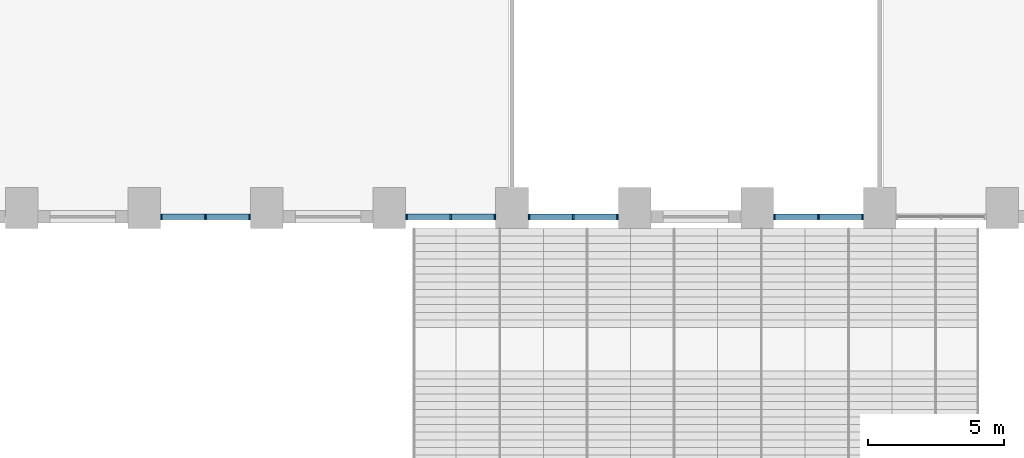
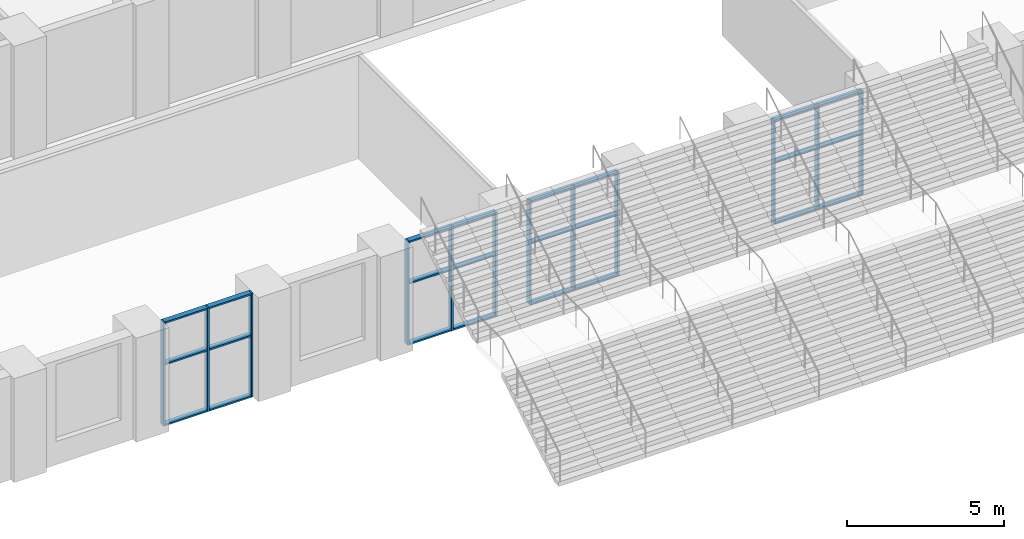
# One storey, part 2 of 42: 36 members, 4 elements without a shape of their own.
"""IFC4 building model written with IfcOpenShell, lengths in metres."""

import ifcopenshell
import ifcopenshell.guid

model = None  # the IFC model being written
_history = None  # IfcOwnerHistory: only IFC2X3 demands one
_inside = {}  # id of a spatial element -> (the spatial element, [elements in it])
_under = {}  # id of a project, library or spatial element -> (it, [spatial elements below it])
_declared = {}  # id of a project -> (the project, [libraries it declares])
_typed = {}  # id of a type object -> (the type object, [elements of that type])
_made_of = {}  # id of a material, layer set ... -> (it, [elements and type objects made of it])


def new_model(schema):
    """Start an empty IFC model of exactly this schema.

    Asked for "IFC4X3", IfcOpenShell would pick the latest addendum, in which some entities
    have other attributes; the version numbers below select the first issue.
    IFC2X3 requires an IfcOwnerHistory on every rooted entity: one is made here for all.
    """
    global model, _history
    if schema == "IFC4X3":
        model = ifcopenshell.file(schema_version=(4, 3, 0, 0))
    else:
        model = ifcopenshell.file(schema=schema)
    _inside.clear()
    _under.clear()
    _declared.clear()
    _typed.clear()
    _made_of.clear()
    _history = None
    if model.schema == "IFC2X3":
        org = make("IfcOrganization", Name="unknown")
        user = make(
            "IfcPersonAndOrganization",
            ThePerson=make("IfcPerson", FamilyName="unknown"),
            TheOrganization=org,
        )
        app = make(
            "IfcApplication",
            ApplicationDeveloper=org,
            Version="unknown",
            ApplicationFullName="unknown",
            ApplicationIdentifier="unknown",
        )
        _history = make(
            "IfcOwnerHistory",
            OwningUser=user,
            OwningApplication=app,
            ChangeAction="ADDED",
            CreationDate=0,
        )
    return model


def make(cls, **values):
    """One entity of the class cls with the attributes given. An attribute that is None is left unset."""
    return model.create_entity(
        cls, **{name: value for name, value in values.items() if value is not None}
    )


def rooted(cls, **values):
    """An entity with a GlobalId (a new one), such as an element, a storey or a relation."""
    return make(cls, GlobalId=ifcopenshell.guid.new(), OwnerHistory=_history, **values)


def si_unit(unit_type, name, prefix=None):
    """IfcSIUnit, for example si_unit("LENGTHUNIT", "METRE", prefix="MILLI")."""
    return make("IfcSIUnit", UnitType=unit_type, Prefix=prefix, Name=name)


def assignment(units):
    """IfcUnitAssignment: the units of a project."""
    return None if units is None else make("IfcUnitAssignment", Units=units)


def point(xyz):
    """IfcCartesianPoint."""
    return None if xyz is None else make("IfcCartesianPoint", Coordinates=xyz)


def direction(xyz):
    """IfcDirection."""
    return None if xyz is None else make("IfcDirection", DirectionRatios=xyz)


def frame(location, z_axis=None, x_axis=None):
    """IfcAxis2Placement3D, a coordinate frame: its origin and axes. An axis left out is left unset."""
    return make(
        "IfcAxis2Placement3D",
        Location=point(location),
        Axis=direction(z_axis),
        RefDirection=direction(x_axis),
    )


def frame_2d(location, x_axis=None):
    """IfcAxis2Placement2D, a coordinate frame in the plane: its origin and x axis."""
    return make(
        "IfcAxis2Placement2D", Location=point(location), RefDirection=direction(x_axis)
    )


def origin():
    """The frame at (0, 0, 0) with its axes left unset."""
    return frame((0.0, 0.0, 0.0))


def origin_2d():
    """The frame at (0, 0) in the plane with its x axis left unset."""
    return frame_2d((0.0, 0.0))


def place(relative_to, where):
    """IfcLocalPlacement: puts the frame where relative to a parent placement (None: the world)."""
    return make(
        "IfcLocalPlacement", PlacementRelTo=relative_to, RelativePlacement=where
    )


def context(
    kind, dimensions, precision=None, world=None, true_north=None, identifier=None
):
    """IfcGeometricRepresentationContext, for example the 3D "Model" context."""
    return make(
        "IfcGeometricRepresentationContext",
        ContextIdentifier=identifier,
        ContextType=kind,
        CoordinateSpaceDimension=dimensions,
        Precision=precision,
        WorldCoordinateSystem=world,
        TrueNorth=true_north,
    )


def subcontext(parent, identifier, kind, view, scale=None):
    """IfcGeometricRepresentationSubContext, for example "Body" below "Model"."""
    return make(
        "IfcGeometricRepresentationSubContext",
        ContextIdentifier=identifier,
        ContextType=kind,
        ParentContext=parent,
        TargetScale=scale,
        TargetView=view,
    )


def project(units=None, contexts=None):
    """IfcProject with its units and contexts."""
    return rooted(
        "IfcProject",
        Name="project",
        RepresentationContexts=contexts,
        UnitsInContext=assignment(units),
    )


def spatial(cls, under=None, at=None, **own):
    """A site, building, storey or space (cls), placed at a placement, below another one or the project."""
    s = rooted(cls, ObjectPlacement=at, **own)
    if under is not None:
        _under.setdefault(under.id(), (under, []))[1].append(s)
    return s


def profile(cls, at=None, kind="AREA", **sizes):
    """A parametric profile (cls). Its sizes go by their IFC names, for example OverallWidth=200.0."""
    return make(cls, ProfileType=kind, Position=at, **sizes)


def rectangle(**sizes):
    """IfcRectangleProfileDef."""
    return profile("IfcRectangleProfileDef", **sizes)


def extrude(swept, where, along, depth):
    """IfcExtrudedAreaSolid: the profile swept, set in the frame where, extruded along a direction by depth."""
    return make(
        "IfcExtrudedAreaSolid",
        SweptArea=swept,
        Position=where,
        ExtrudedDirection=direction(along),
        Depth=depth,
    )


def shape(context_of_items, identifier, shape_type, items):
    """IfcShapeRepresentation: the items that make up one representation, for example the "Body"."""
    return make(
        "IfcShapeRepresentation",
        ContextOfItems=context_of_items,
        RepresentationIdentifier=identifier,
        RepresentationType=shape_type,
        Items=items,
    )


def material(Name=None, Category=None):
    """IfcMaterial."""
    return make("IfcMaterial", Name=Name, Category=Category)


def layer(
    of_material, thickness, ventilated=None, Name=None, Category=None, Priority=None
):
    """IfcMaterialLayer: one layer of a wall or slab, of a material (None: an air gap)."""
    return make(
        "IfcMaterialLayer",
        Material=of_material,
        LayerThickness=thickness,
        IsVentilated=ventilated,
        Name=Name,
        Category=Category,
        Priority=Priority,
    )


def layer_set(layers, Name=None):
    """IfcMaterialLayerSet."""
    return make("IfcMaterialLayerSet", MaterialLayers=layers, LayerSetName=Name)


def material_profile(
    of_material, cross_section, Name=None, Category=None, Priority=None
):
    """IfcMaterialProfile: a cross section and its material."""
    return make(
        "IfcMaterialProfile",
        Name=Name,
        Material=of_material,
        Profile=cross_section,
        Priority=Priority,
        Category=Category,
    )


def profile_set(profiles, Name=None, composite=None):
    """IfcMaterialProfileSet."""
    return make(
        "IfcMaterialProfileSet",
        Name=Name,
        MaterialProfiles=profiles,
        CompositeProfile=composite,
    )


def made_of(thing, what):
    """Note that an element or type object is made of a material, layer set ...; save() writes the relation."""
    if what is not None:
        _made_of.setdefault(what.id(), (what, []))[1].append(thing)
    return thing


def type_object(cls, material=None, **own):
    """A type object (cls), such as IfcWallType, which elements share."""
    return made_of(rooted(cls, **own), material)


def element(
    cls,
    number,
    at=None,
    inside=None,
    cuts=None,
    type_object=None,
    material=None,
    context=None,
    identifier="Body",
    shape_type=None,
    held_by="IfcProductDefinitionShape",
    body=None,
    shapes=None,
    **own,
):
    """One element of the class cls, such as IfcWall. Its Tag is "e" and its number.

    at: its placement. inside: the storey or other place that contains it. cuts: it is an
    opening in that element (IfcRelVoidsElement). A single representation is given by context,
    identifier, shape_type and body (its items); several are given by shapes. held_by: the class
    of the entity that holds the representations. save() writes the other relations.
    """
    e = rooted(cls, Tag="e%d" % number, ObjectPlacement=at, **own)
    if body is not None:
        shapes = [shape(context, identifier, shape_type, body)]
    if shapes is not None:
        e.Representation = make(held_by, Representations=shapes)
    if inside is not None:
        _inside.setdefault(inside.id(), (inside, []))[1].append(e)
    if cuts is not None:
        rooted(
            "IfcRelVoidsElement", RelatingBuildingElement=cuts, RelatedOpeningElement=e
        )
    if type_object is not None:
        _typed.setdefault(type_object.id(), (type_object, []))[1].append(e)
    return made_of(e, material)


def aggregate(whole, parts):
    """IfcRelAggregates: a whole, such as a stair, and the parts it consists of."""
    return rooted("IfcRelAggregates", RelatingObject=whole, RelatedObjects=parts)


def save(model, path):
    """Write the relations noted so far, then the file.

    IfcRelAggregates (storeys below a building ...), IfcRelContainedInSpatialStructure (elements
    in a storey), IfcRelDefinesByType, IfcRelAssociatesMaterial and IfcRelDeclares: one each for
    every whole, place, type object, material and project.
    """
    for whole, parts in _under.values():
        aggregate(whole, parts)
    for where, things in _inside.values():
        rooted(
            "IfcRelContainedInSpatialStructure",
            RelatedElements=things,
            RelatingStructure=where,
        )
    for kind, things in _typed.values():
        rooted("IfcRelDefinesByType", RelatedObjects=things, RelatingType=kind)
    for what, things in _made_of.values():
        rooted("IfcRelAssociatesMaterial", RelatedObjects=things, RelatingMaterial=what)
    for by, libraries in _declared.values():
        rooted("IfcRelDeclares", RelatingContext=by, RelatedDefinitions=libraries)
    model.write(path)


model = new_model("IFC4")

# Units and contexts
model_context = context("Model", 3, precision=1e-05, world=origin(), true_north=direction((0.0, 1.0)))
body_context = subcontext(model_context, "Body", "Model", "MODEL_VIEW")
ifc_project = project(units=[si_unit("LENGTHUNIT", "METRE"), si_unit("AREAUNIT", "SQUARE_METRE"), si_unit("VOLUMEUNIT", "CUBIC_METRE"), si_unit("PLANEANGLEUNIT", "RADIAN"), si_unit("MASSUNIT", "GRAM", prefix="KILO")], contexts=[model_context])

# Site, building, storey
site_placement = place(None, origin())
site = spatial("IfcSite", under=ifc_project, at=site_placement, CompositionType="ELEMENT")
building_placement = place(site_placement, origin())
building = spatial("IfcBuilding", under=site, at=building_placement, Name="Dhurran Vertical Campus", CompositionType="ELEMENT")
storey_placement = place(building_placement, frame((0.0, 0.0, 6.0)))
storey = spatial("IfcBuildingStorey", under=building, at=storey_placement, Name="L01", CompositionType="ELEMENT", Elevation=6.0)

# Curtain wall, members
ifc_material_1 = material(Name="Aluminium frame with solar-control glass", Category="aluminium")
ifc_layer = layer(ifc_material_1, 0.199951171875)
ifc_layer_set = layer_set([ifc_layer], Name="Aluminium frame with solar-control glass")
curtain_wall_type = type_object("IfcCurtainWallType", Name="Entrance glazing system", PredefinedType="NOTDEFINED", material=ifc_layer_set)
curtain_wall_1_placement = place(storey_placement, origin())
curtain_wall_1 = element("IfcCurtainWall", 1, at=curtain_wall_1_placement, inside=storey, type_object=curtain_wall_type, Name="CW1 L01.02", PredefinedType="NOTDEFINED")
ifc_material_2 = material(Name="Aluminium mullion", Category="aluminium")
ifc_material_profile_1 = material_profile(ifc_material_2, rectangle(XDim=0.199951171875, YDim=0.06005859375, at=origin_2d()), Name="Entrance glazing system mullion")
ifc_profile_set_1 = profile_set([ifc_material_profile_1], Name="Aluminium mullion")
member_type_1 = type_object("IfcMemberType", Name="Entrance glazing system mullion", PredefinedType="MULLION", material=ifc_profile_set_1)
member_1_placement = place(storey_placement, frame((-19.619384765625, -46.943359375, 0.0), z_axis=(0.0, 0.0, 1.0), x_axis=(0.0, 1.0, 0.0)))
member_1 = element("IfcMember", 2, at=member_1_placement, type_object=member_type_1, Name="CW1 mullion 1", PredefinedType="MULLION", context=body_context, shape_type="SweptSolid", body=[
    extrude(rectangle(XDim=0.199951171875, YDim=0.06005859375, at=origin_2d()), origin(), (0.0, 0.0, 1.0), 4.050048828125),
])
member_2_placement = place(storey_placement, frame((-18.0, -46.943359375, 0.0), z_axis=(0.0, 0.0, 1.0), x_axis=(0.0, 1.0, 0.0)))
member_2 = element("IfcMember", 3, at=member_2_placement, type_object=member_type_1, Name="CW1 mullion 2", PredefinedType="MULLION", context=body_context, shape_type="SweptSolid", body=[
    extrude(rectangle(XDim=0.199951171875, YDim=0.06005859375, at=origin_2d()), origin(), (0.0, 0.0, 1.0), 4.050048828125),
])
member_3_placement = place(storey_placement, frame((-16.380615234375, -46.943359375, 0.0), z_axis=(0.0, 0.0, 1.0), x_axis=(0.0, 1.0, 0.0)))
member_3 = element("IfcMember", 4, at=member_3_placement, type_object=member_type_1, Name="CW1 mullion 3", PredefinedType="MULLION", context=body_context, shape_type="SweptSolid", body=[
    extrude(rectangle(XDim=0.199951171875, YDim=0.06005859375, at=origin_2d()), origin(), (0.0, 0.0, 1.0), 4.050048828125),
])

curtain_wall_2_placement = place(storey_placement, origin())
curtain_wall_2 = element("IfcCurtainWall", 5, at=curtain_wall_2_placement, inside=storey, type_object=curtain_wall_type, Name="CW1 L01.04", PredefinedType="NOTDEFINED")
member_4_placement = place(storey_placement, frame((-10.619384765625, -46.943359375, 0.0), z_axis=(0.0, 0.0, 1.0), x_axis=(0.0, 1.0, 0.0)))
member_4 = element("IfcMember", 6, at=member_4_placement, type_object=member_type_1, Name="CW1 mullion 1", PredefinedType="MULLION", context=body_context, shape_type="SweptSolid", body=[
    extrude(rectangle(XDim=0.199951171875, YDim=0.06005859375, at=origin_2d()), origin(), (0.0, 0.0, 1.0), 4.050048828125),
])
member_5_placement = place(storey_placement, frame((-9.0, -46.943359375, 0.0), z_axis=(0.0, 0.0, 1.0), x_axis=(0.0, 1.0, 0.0)))
member_5 = element("IfcMember", 7, at=member_5_placement, type_object=member_type_1, Name="CW1 mullion 2", PredefinedType="MULLION", context=body_context, shape_type="SweptSolid", body=[
    extrude(rectangle(XDim=0.199951171875, YDim=0.06005859375, at=origin_2d()), origin(), (0.0, 0.0, 1.0), 4.050048828125),
])
member_6_placement = place(storey_placement, frame((-7.380615234375, -46.943359375, 0.0), z_axis=(0.0, 0.0, 1.0), x_axis=(0.0, 1.0, 0.0)))
member_6 = element("IfcMember", 8, at=member_6_placement, type_object=member_type_1, Name="CW1 mullion 3", PredefinedType="MULLION", context=body_context, shape_type="SweptSolid", body=[
    extrude(rectangle(XDim=0.199951171875, YDim=0.06005859375, at=origin_2d()), origin(), (0.0, 0.0, 1.0), 4.050048828125),
])

curtain_wall_3_placement = place(storey_placement, origin())
curtain_wall_3 = element("IfcCurtainWall", 9, at=curtain_wall_3_placement, inside=storey, type_object=curtain_wall_type, Name="CW1 L01.05", PredefinedType="NOTDEFINED")
member_7_placement = place(storey_placement, frame((-6.119384765625, -46.943359375, 0.0), z_axis=(0.0, 0.0, 1.0), x_axis=(0.0, 1.0, 0.0)))
member_7 = element("IfcMember", 10, at=member_7_placement, type_object=member_type_1, Name="CW1 mullion 1", PredefinedType="MULLION", context=body_context, shape_type="SweptSolid", body=[
    extrude(rectangle(XDim=0.199951171875, YDim=0.06005859375, at=origin_2d()), origin(), (0.0, 0.0, 1.0), 4.050048828125),
])
member_8_placement = place(storey_placement, frame((-4.5, -46.943359375, 0.0), z_axis=(0.0, 0.0, 1.0), x_axis=(0.0, 1.0, 0.0)))
member_8 = element("IfcMember", 11, at=member_8_placement, type_object=member_type_1, Name="CW1 mullion 2", PredefinedType="MULLION", context=body_context, shape_type="SweptSolid", body=[
    extrude(rectangle(XDim=0.199951171875, YDim=0.06005859375, at=origin_2d()), origin(), (0.0, 0.0, 1.0), 4.050048828125),
])
member_9_placement = place(storey_placement, frame((-2.880615234375, -46.943359375, 0.0), z_axis=(0.0, 0.0, 1.0), x_axis=(0.0, 1.0, 0.0)))
member_9 = element("IfcMember", 12, at=member_9_placement, type_object=member_type_1, Name="CW1 mullion 3", PredefinedType="MULLION", context=body_context, shape_type="SweptSolid", body=[
    extrude(rectangle(XDim=0.199951171875, YDim=0.06005859375, at=origin_2d()), origin(), (0.0, 0.0, 1.0), 4.050048828125),
])

curtain_wall_4_placement = place(storey_placement, origin())
curtain_wall_4 = element("IfcCurtainWall", 13, at=curtain_wall_4_placement, inside=storey, type_object=curtain_wall_type, Name="CW1 L01.07", PredefinedType="NOTDEFINED")
member_10_placement = place(storey_placement, frame((2.880615234375, -46.943359375, 0.0), z_axis=(0.0, 0.0, 1.0), x_axis=(0.0, 1.0, 0.0)))
member_10 = element("IfcMember", 14, at=member_10_placement, type_object=member_type_1, Name="CW1 mullion 1", PredefinedType="MULLION", context=body_context, shape_type="SweptSolid", body=[
    extrude(rectangle(XDim=0.199951171875, YDim=0.06005859375, at=origin_2d()), origin(), (0.0, 0.0, 1.0), 4.050048828125),
])
member_11_placement = place(storey_placement, frame((4.5, -46.943359375, 0.0), z_axis=(0.0, 0.0, 1.0), x_axis=(0.0, 1.0, 0.0)))
member_11 = element("IfcMember", 15, at=member_11_placement, type_object=member_type_1, Name="CW1 mullion 2", PredefinedType="MULLION", context=body_context, shape_type="SweptSolid", body=[
    extrude(rectangle(XDim=0.199951171875, YDim=0.06005859375, at=origin_2d()), origin(), (0.0, 0.0, 1.0), 4.050048828125),
])
member_12_placement = place(storey_placement, frame((6.119384765625, -46.943359375, 0.0), z_axis=(0.0, 0.0, 1.0), x_axis=(0.0, 1.0, 0.0)))
member_12 = element("IfcMember", 16, at=member_12_placement, type_object=member_type_1, Name="CW1 mullion 3", PredefinedType="MULLION", context=body_context, shape_type="SweptSolid", body=[
    extrude(rectangle(XDim=0.199951171875, YDim=0.06005859375, at=origin_2d()), origin(), (0.0, 0.0, 1.0), 4.050048828125),
])

# Member
ifc_material_3 = material(Name="Aluminium transom", Category="aluminium")
ifc_material_profile_2 = material_profile(ifc_material_3, rectangle(XDim=0.199951171875, YDim=0.06005859375, at=origin_2d()), Name="Entrance glazing system transom")
ifc_profile_set_2 = profile_set([ifc_material_profile_2], Name="Aluminium transom")
member_type_2 = type_object("IfcMemberType", Name="Entrance glazing system transom", PredefinedType="USERDEFINED", material=ifc_profile_set_2)
member_13_placement = place(storey_placement, frame((-19.589599609375, -46.943359375, 0.030029296875), z_axis=(1.0, 0.0, 0.0), x_axis=(0.0, 1.0, 0.0)))
member_13 = element("IfcMember", 17, at=member_13_placement, type_object=member_type_2, Name="CW1 transom 1.1", ObjectType="TRANSOM", PredefinedType="USERDEFINED", context=body_context, shape_type="SweptSolid", body=[
    extrude(rectangle(XDim=0.199951171875, YDim=0.06005859375, at=origin_2d()), origin(), (0.0, 0.0, 1.0), 1.5595703125),
])

member_14_placement = place(storey_placement, frame((-19.589599609375, -46.943359375, 2.39990234375), z_axis=(1.0, 0.0, 0.0), x_axis=(0.0, 1.0, 0.0)))
member_14 = element("IfcMember", 18, at=member_14_placement, type_object=member_type_2, Name="CW1 transom 1.2", ObjectType="TRANSOM", PredefinedType="USERDEFINED", context=body_context, shape_type="SweptSolid", body=[
    extrude(rectangle(XDim=0.199951171875, YDim=0.06005859375, at=origin_2d()), origin(), (0.0, 0.0, 1.0), 1.5595703125),
])

member_15_placement = place(storey_placement, frame((-19.589599609375, -46.943359375, 4.02001953125), z_axis=(1.0, 0.0, 0.0), x_axis=(0.0, 1.0, 0.0)))
member_15 = element("IfcMember", 19, at=member_15_placement, type_object=member_type_2, Name="CW1 transom 1.3", ObjectType="TRANSOM", PredefinedType="USERDEFINED", context=body_context, shape_type="SweptSolid", body=[
    extrude(rectangle(XDim=0.199951171875, YDim=0.06005859375, at=origin_2d()), origin(), (0.0, 0.0, 1.0), 1.5595703125),
])

member_16_placement = place(storey_placement, frame((-17.969970703125, -46.943359375, 0.030029296875), z_axis=(1.0, 0.0, 0.0), x_axis=(0.0, 1.0, 0.0)))
member_16 = element("IfcMember", 20, at=member_16_placement, type_object=member_type_2, Name="CW1 transom 2.1", ObjectType="TRANSOM", PredefinedType="USERDEFINED", context=body_context, shape_type="SweptSolid", body=[
    extrude(rectangle(XDim=0.199951171875, YDim=0.06005859375, at=origin_2d()), origin(), (0.0, 0.0, 1.0), 1.5595703125),
])

member_17_placement = place(storey_placement, frame((-17.969970703125, -46.943359375, 2.39990234375), z_axis=(1.0, 0.0, 0.0), x_axis=(0.0, 1.0, 0.0)))
member_17 = element("IfcMember", 21, at=member_17_placement, type_object=member_type_2, Name="CW1 transom 2.2", ObjectType="TRANSOM", PredefinedType="USERDEFINED", context=body_context, shape_type="SweptSolid", body=[
    extrude(rectangle(XDim=0.199951171875, YDim=0.06005859375, at=origin_2d()), origin(), (0.0, 0.0, 1.0), 1.5595703125),
])

member_18_placement = place(storey_placement, frame((-17.969970703125, -46.943359375, 4.02001953125), z_axis=(1.0, 0.0, 0.0), x_axis=(0.0, 1.0, 0.0)))
member_18 = element("IfcMember", 22, at=member_18_placement, type_object=member_type_2, Name="CW1 transom 2.3", ObjectType="TRANSOM", PredefinedType="USERDEFINED", context=body_context, shape_type="SweptSolid", body=[
    extrude(rectangle(XDim=0.199951171875, YDim=0.06005859375, at=origin_2d()), origin(), (0.0, 0.0, 1.0), 1.5595703125),
])

aggregate(curtain_wall_1, [member_1, member_2, member_3, member_13, member_14, member_15, member_16, member_17, member_18])

member_19_placement = place(storey_placement, frame((-10.589599609375, -46.943359375, 0.030029296875), z_axis=(1.0, 0.0, 0.0), x_axis=(0.0, 1.0, 0.0)))
member_19 = element("IfcMember", 23, at=member_19_placement, type_object=member_type_2, Name="CW1 transom 1.1", ObjectType="TRANSOM", PredefinedType="USERDEFINED", context=body_context, shape_type="SweptSolid", body=[
    extrude(rectangle(XDim=0.199951171875, YDim=0.06005859375, at=origin_2d()), origin(), (0.0, 0.0, 1.0), 1.5595703125),
])

member_20_placement = place(storey_placement, frame((-10.589599609375, -46.943359375, 2.39990234375), z_axis=(1.0, 0.0, 0.0), x_axis=(0.0, 1.0, 0.0)))
member_20 = element("IfcMember", 24, at=member_20_placement, type_object=member_type_2, Name="CW1 transom 1.2", ObjectType="TRANSOM", PredefinedType="USERDEFINED", context=body_context, shape_type="SweptSolid", body=[
    extrude(rectangle(XDim=0.199951171875, YDim=0.06005859375, at=origin_2d()), origin(), (0.0, 0.0, 1.0), 1.5595703125),
])

member_21_placement = place(storey_placement, frame((-10.589599609375, -46.943359375, 4.02001953125), z_axis=(1.0, 0.0, 0.0), x_axis=(0.0, 1.0, 0.0)))
member_21 = element("IfcMember", 25, at=member_21_placement, type_object=member_type_2, Name="CW1 transom 1.3", ObjectType="TRANSOM", PredefinedType="USERDEFINED", context=body_context, shape_type="SweptSolid", body=[
    extrude(rectangle(XDim=0.199951171875, YDim=0.06005859375, at=origin_2d()), origin(), (0.0, 0.0, 1.0), 1.5595703125),
])

member_22_placement = place(storey_placement, frame((-8.969970703125, -46.943359375, 0.030029296875), z_axis=(1.0, 0.0, 0.0), x_axis=(0.0, 1.0, 0.0)))
member_22 = element("IfcMember", 26, at=member_22_placement, type_object=member_type_2, Name="CW1 transom 2.1", ObjectType="TRANSOM", PredefinedType="USERDEFINED", context=body_context, shape_type="SweptSolid", body=[
    extrude(rectangle(XDim=0.199951171875, YDim=0.06005859375, at=origin_2d()), origin(), (0.0, 0.0, 1.0), 1.5595703125),
])

member_23_placement = place(storey_placement, frame((-8.969970703125, -46.943359375, 2.39990234375), z_axis=(1.0, 0.0, 0.0), x_axis=(0.0, 1.0, 0.0)))
member_23 = element("IfcMember", 27, at=member_23_placement, type_object=member_type_2, Name="CW1 transom 2.2", ObjectType="TRANSOM", PredefinedType="USERDEFINED", context=body_context, shape_type="SweptSolid", body=[
    extrude(rectangle(XDim=0.199951171875, YDim=0.06005859375, at=origin_2d()), origin(), (0.0, 0.0, 1.0), 1.5595703125),
])

member_24_placement = place(storey_placement, frame((-8.969970703125, -46.943359375, 4.02001953125), z_axis=(1.0, 0.0, 0.0), x_axis=(0.0, 1.0, 0.0)))
member_24 = element("IfcMember", 28, at=member_24_placement, type_object=member_type_2, Name="CW1 transom 2.3", ObjectType="TRANSOM", PredefinedType="USERDEFINED", context=body_context, shape_type="SweptSolid", body=[
    extrude(rectangle(XDim=0.199951171875, YDim=0.06005859375, at=origin_2d()), origin(), (0.0, 0.0, 1.0), 1.5595703125),
])

aggregate(curtain_wall_2, [member_4, member_5, member_6, member_19, member_20, member_21, member_22, member_23, member_24])

member_25_placement = place(storey_placement, frame((-6.089599609375, -46.943359375, 0.030029296875), z_axis=(1.0, 0.0, 0.0), x_axis=(0.0, 1.0, 0.0)))
member_25 = element("IfcMember", 29, at=member_25_placement, type_object=member_type_2, Name="CW1 transom 1.1", ObjectType="TRANSOM", PredefinedType="USERDEFINED", context=body_context, shape_type="SweptSolid", body=[
    extrude(rectangle(XDim=0.199951171875, YDim=0.06005859375, at=origin_2d()), origin(), (0.0, 0.0, 1.0), 1.5595703125),
])

member_26_placement = place(storey_placement, frame((-6.089599609375, -46.943359375, 2.39990234375), z_axis=(1.0, 0.0, 0.0), x_axis=(0.0, 1.0, 0.0)))
member_26 = element("IfcMember", 30, at=member_26_placement, type_object=member_type_2, Name="CW1 transom 1.2", ObjectType="TRANSOM", PredefinedType="USERDEFINED", context=body_context, shape_type="SweptSolid", body=[
    extrude(rectangle(XDim=0.199951171875, YDim=0.06005859375, at=origin_2d()), origin(), (0.0, 0.0, 1.0), 1.5595703125),
])

member_27_placement = place(storey_placement, frame((-6.089599609375, -46.943359375, 4.02001953125), z_axis=(1.0, 0.0, 0.0), x_axis=(0.0, 1.0, 0.0)))
member_27 = element("IfcMember", 31, at=member_27_placement, type_object=member_type_2, Name="CW1 transom 1.3", ObjectType="TRANSOM", PredefinedType="USERDEFINED", context=body_context, shape_type="SweptSolid", body=[
    extrude(rectangle(XDim=0.199951171875, YDim=0.06005859375, at=origin_2d()), origin(), (0.0, 0.0, 1.0), 1.5595703125),
])

member_28_placement = place(storey_placement, frame((-4.469970703125, -46.943359375, 0.030029296875), z_axis=(1.0, 0.0, 0.0), x_axis=(0.0, 1.0, 0.0)))
member_28 = element("IfcMember", 32, at=member_28_placement, type_object=member_type_2, Name="CW1 transom 2.1", ObjectType="TRANSOM", PredefinedType="USERDEFINED", context=body_context, shape_type="SweptSolid", body=[
    extrude(rectangle(XDim=0.199951171875, YDim=0.06005859375, at=origin_2d()), origin(), (0.0, 0.0, 1.0), 1.5595703125),
])

member_29_placement = place(storey_placement, frame((-4.469970703125, -46.943359375, 2.39990234375), z_axis=(1.0, 0.0, 0.0), x_axis=(0.0, 1.0, 0.0)))
member_29 = element("IfcMember", 33, at=member_29_placement, type_object=member_type_2, Name="CW1 transom 2.2", ObjectType="TRANSOM", PredefinedType="USERDEFINED", context=body_context, shape_type="SweptSolid", body=[
    extrude(rectangle(XDim=0.199951171875, YDim=0.06005859375, at=origin_2d()), origin(), (0.0, 0.0, 1.0), 1.5595703125),
])

member_30_placement = place(storey_placement, frame((-4.469970703125, -46.943359375, 4.02001953125), z_axis=(1.0, 0.0, 0.0), x_axis=(0.0, 1.0, 0.0)))
member_30 = element("IfcMember", 34, at=member_30_placement, type_object=member_type_2, Name="CW1 transom 2.3", ObjectType="TRANSOM", PredefinedType="USERDEFINED", context=body_context, shape_type="SweptSolid", body=[
    extrude(rectangle(XDim=0.199951171875, YDim=0.06005859375, at=origin_2d()), origin(), (0.0, 0.0, 1.0), 1.5595703125),
])

aggregate(curtain_wall_3, [member_7, member_8, member_9, member_25, member_26, member_27, member_28, member_29, member_30])

member_31_placement = place(storey_placement, frame((2.910400390625, -46.943359375, 0.030029296875), z_axis=(1.0, 0.0, 0.0), x_axis=(0.0, 1.0, 0.0)))
member_31 = element("IfcMember", 35, at=member_31_placement, type_object=member_type_2, Name="CW1 transom 1.1", ObjectType="TRANSOM", PredefinedType="USERDEFINED", context=body_context, shape_type="SweptSolid", body=[
    extrude(rectangle(XDim=0.199951171875, YDim=0.06005859375, at=origin_2d()), origin(), (0.0, 0.0, 1.0), 1.5595703125),
])

member_32_placement = place(storey_placement, frame((2.910400390625, -46.943359375, 2.39990234375), z_axis=(1.0, 0.0, 0.0), x_axis=(0.0, 1.0, 0.0)))
member_32 = element("IfcMember", 36, at=member_32_placement, type_object=member_type_2, Name="CW1 transom 1.2", ObjectType="TRANSOM", PredefinedType="USERDEFINED", context=body_context, shape_type="SweptSolid", body=[
    extrude(rectangle(XDim=0.199951171875, YDim=0.06005859375, at=origin_2d()), origin(), (0.0, 0.0, 1.0), 1.5595703125),
])

member_33_placement = place(storey_placement, frame((2.910400390625, -46.943359375, 4.02001953125), z_axis=(1.0, 0.0, 0.0), x_axis=(0.0, 1.0, 0.0)))
member_33 = element("IfcMember", 37, at=member_33_placement, type_object=member_type_2, Name="CW1 transom 1.3", ObjectType="TRANSOM", PredefinedType="USERDEFINED", context=body_context, shape_type="SweptSolid", body=[
    extrude(rectangle(XDim=0.199951171875, YDim=0.06005859375, at=origin_2d()), origin(), (0.0, 0.0, 1.0), 1.5595703125),
])

member_34_placement = place(storey_placement, frame((4.530029296875, -46.943359375, 0.030029296875), z_axis=(1.0, 0.0, 0.0), x_axis=(0.0, 1.0, 0.0)))
member_34 = element("IfcMember", 38, at=member_34_placement, type_object=member_type_2, Name="CW1 transom 2.1", ObjectType="TRANSOM", PredefinedType="USERDEFINED", context=body_context, shape_type="SweptSolid", body=[
    extrude(rectangle(XDim=0.199951171875, YDim=0.06005859375, at=origin_2d()), origin(), (0.0, 0.0, 1.0), 1.5595703125),
])

member_35_placement = place(storey_placement, frame((4.530029296875, -46.943359375, 2.39990234375), z_axis=(1.0, 0.0, 0.0), x_axis=(0.0, 1.0, 0.0)))
member_35 = element("IfcMember", 39, at=member_35_placement, type_object=member_type_2, Name="CW1 transom 2.2", ObjectType="TRANSOM", PredefinedType="USERDEFINED", context=body_context, shape_type="SweptSolid", body=[
    extrude(rectangle(XDim=0.199951171875, YDim=0.06005859375, at=origin_2d()), origin(), (0.0, 0.0, 1.0), 1.5595703125),
])

member_36_placement = place(storey_placement, frame((4.530029296875, -46.943359375, 4.02001953125), z_axis=(1.0, 0.0, 0.0), x_axis=(0.0, 1.0, 0.0)))
member_36 = element("IfcMember", 40, at=member_36_placement, type_object=member_type_2, Name="CW1 transom 2.3", ObjectType="TRANSOM", PredefinedType="USERDEFINED", context=body_context, shape_type="SweptSolid", body=[
    extrude(rectangle(XDim=0.199951171875, YDim=0.06005859375, at=origin_2d()), origin(), (0.0, 0.0, 1.0), 1.5595703125),
])

aggregate(curtain_wall_4, [member_10, member_11, member_12, member_31, member_32, member_33, member_34, member_35, member_36])

save(model, "model.ifc")
